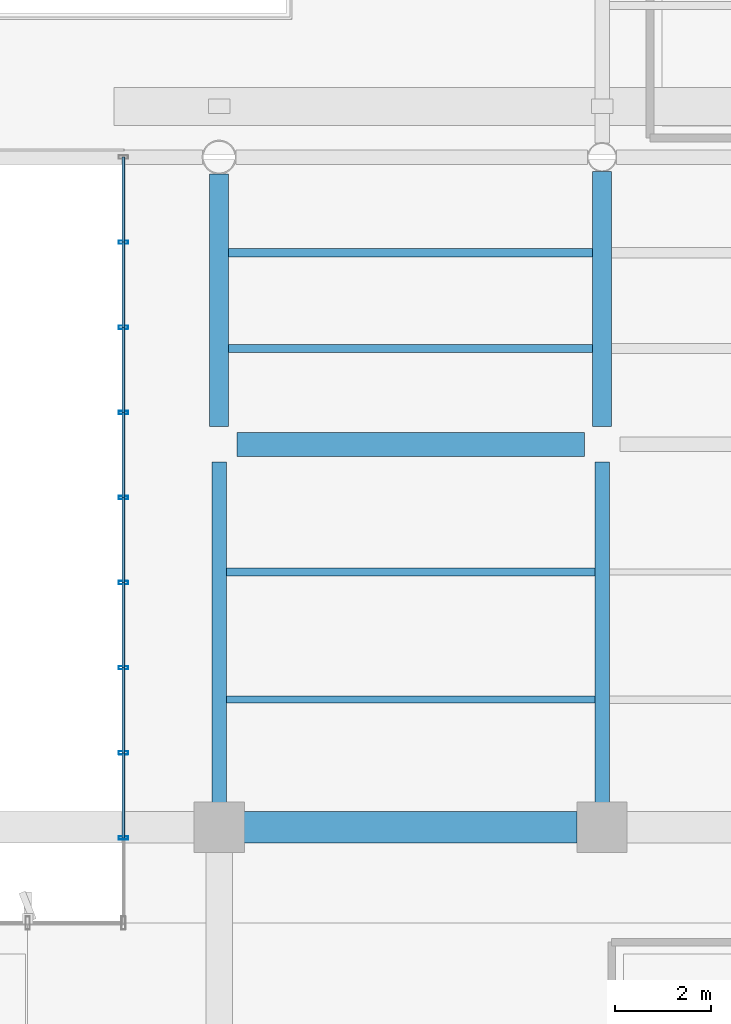
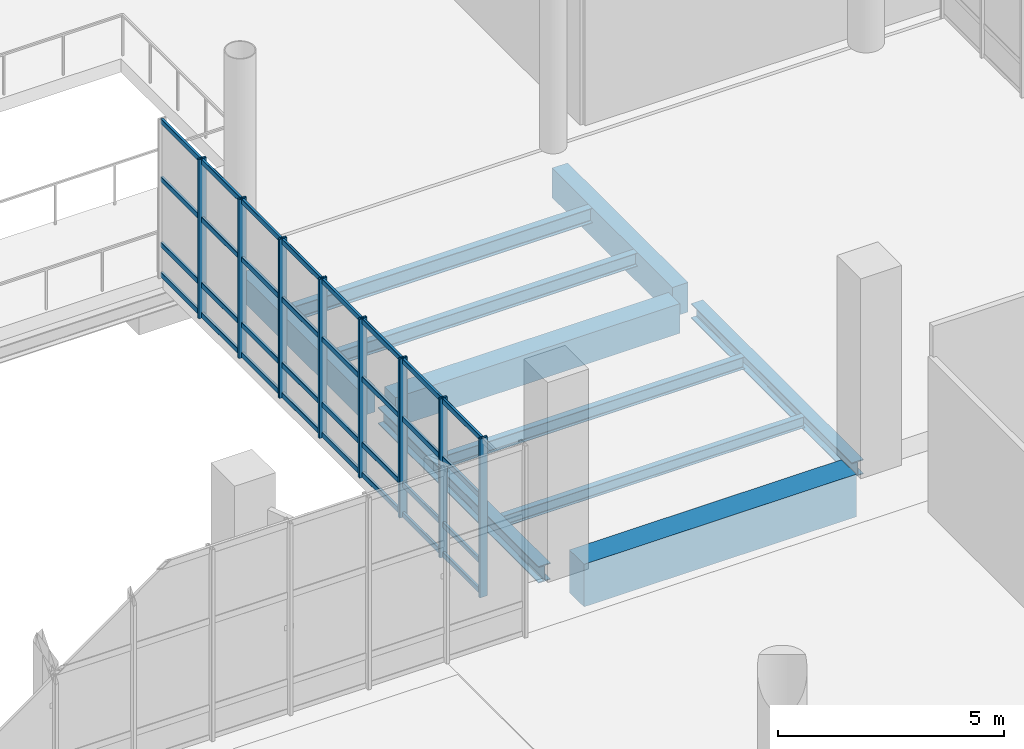
# One storey, part 61 of 176: 40 members, 10 beams, 1 element without a shape of its own.
"""IFC4 building model written with IfcOpenShell, lengths in metres."""

from ifc_helpers import new_model, si_unit, direction, frame, origin, origin_2d, place, context, subcontext, project, spatial, rectangle, hollow_rectangle, i_section, extrude, material, layer, layer_set, material_profile, profile_set, type_object, element, aggregate, save


model = new_model("IFC4")

# Units and contexts
model_context = context("Model", 3, precision=1e-05, world=origin(), true_north=direction((0.0, 1.0)))
body_context = subcontext(model_context, "Body", "Model", "MODEL_VIEW")
ifc_project = project(units=[si_unit("LENGTHUNIT", "METRE"), si_unit("AREAUNIT", "SQUARE_METRE"), si_unit("VOLUMEUNIT", "CUBIC_METRE"), si_unit("PLANEANGLEUNIT", "RADIAN"), si_unit("MASSUNIT", "GRAM", prefix="KILO")], contexts=[model_context])

# Site, building, storey
site_placement = place(None, origin())
site = spatial("IfcSite", under=ifc_project, at=site_placement, CompositionType="ELEMENT")
building_placement = place(site_placement, origin())
building = spatial("IfcBuilding", under=site, at=building_placement, Name="Khorjan Park Terminus", CompositionType="ELEMENT")
storey_placement = place(building_placement, frame((0.0, 0.0, 6.0)))
storey = spatial("IfcBuildingStorey", under=building, at=storey_placement, Name="L01", CompositionType="ELEMENT", Elevation=6.0)

# Beams
ifc_material_1 = material(Name="Steel S355", Category="steel")
ifc_material_profile_1 = material_profile(ifc_material_1, i_section(OverallWidth=0.3, OverallDepth=0.4, WebThickness=0.0135, FlangeThickness=0.024, FilletRadius=0.027, at=origin_2d()), Name="HEB 400")
ifc_profile_set_1 = profile_set([ifc_material_profile_1], Name="Steel S355")
beam_type_1 = type_object("IfcBeamType", Name="BM-HEB400", PredefinedType="BEAM", material=ifc_profile_set_1)
beam_1_placement = place(storey_placement, frame((120.0, 88.52, -0.54), z_axis=(0.0, 1.0, 0.0), x_axis=(-1.0, 0.0, 0.0)))
element("IfcBeam", 1, at=beam_1_placement, inside=storey, type_object=beam_type_1, Name="Primary floor girder SB-B40 (L01)", PredefinedType="BEAM", context=body_context, shape_type="SweptSolid", body=[
    extrude(i_section(OverallWidth=0.3, OverallDepth=0.4, WebThickness=0.0135, FlangeThickness=0.024, FilletRadius=0.027, at=origin_2d()), origin(), (0.0, 0.0, 1.0), 7.11),
])
ifc_material_profile_2 = material_profile(ifc_material_1, i_section(OverallWidth=0.3, OverallDepth=0.45, WebThickness=0.014, FlangeThickness=0.026, FilletRadius=0.027, at=origin_2d()), Name="HEB 450")
ifc_profile_set_2 = profile_set([ifc_material_profile_2], Name="Steel S355")
beam_type_2 = type_object("IfcBeamType", Name="BM-HEB450", PredefinedType="BEAM", material=ifc_profile_set_2)
beam_2_placement = place(storey_placement, frame((112.0, 88.52, -0.565), z_axis=(0.0, 1.0, 0.0), x_axis=(-1.0, 0.0, 0.0)))
element("IfcBeam", 2, at=beam_2_placement, inside=storey, type_object=beam_type_2, Name="Primary floor girder SB-B45 (L01)", PredefinedType="BEAM", context=body_context, shape_type="SweptSolid", body=[
    extrude(i_section(OverallWidth=0.3, OverallDepth=0.45, WebThickness=0.014, FlangeThickness=0.026, FilletRadius=0.027, at=origin_2d()), origin(), (0.0, 0.0, 1.0), 7.11),
])
ifc_material_2 = material(Name="Concrete C40/50", Category="concrete")
ifc_material_profile_3 = material_profile(ifc_material_2, rectangle(XDim=0.4, YDim=0.7, at=origin_2d()), Name="RC 400x700")
ifc_profile_set_3 = profile_set([ifc_material_profile_3], Name="Concrete C40/50")
beam_type_3 = type_object("IfcBeamType", Name="BM-RC400x700", PredefinedType="BEAM", material=ifc_profile_set_3)
beam_3_placement = place(storey_placement, frame((112.0, 96.37, -0.69), z_axis=(0.0, 1.0, 0.0), x_axis=(-1.0, 0.0, 0.0)))
element("IfcBeam", 3, at=beam_3_placement, inside=storey, type_object=beam_type_3, Name="Primary floor girder GB-07 (L01)", PredefinedType="BEAM", context=body_context, shape_type="SweptSolid", body=[
    extrude(rectangle(XDim=0.4, YDim=0.7, at=origin_2d()), origin(), (0.0, 0.0, 1.0), 5.2795),
])
ifc_material_profile_4 = material_profile(ifc_material_2, rectangle(XDim=0.4, YDim=0.8, at=origin_2d()), Name="RC 400x800")
ifc_profile_set_4 = profile_set([ifc_material_profile_4], Name="Concrete C40/50")
beam_type_4 = type_object("IfcBeamType", Name="BM-RC400x800", PredefinedType="BEAM", material=ifc_profile_set_4)
beam_4_placement = place(storey_placement, frame((120.0, 96.37, -0.74), z_axis=(0.0, 1.0, 0.0), x_axis=(-1.0, 0.0, 0.0)))
element("IfcBeam", 4, at=beam_4_placement, inside=storey, type_object=beam_type_4, Name="Primary floor girder GB-08B (L01)", PredefinedType="BEAM", context=body_context, shape_type="SweptSolid", body=[
    extrude(rectangle(XDim=0.4, YDim=0.8, at=origin_2d()), origin(), (0.0, 0.0, 1.0), 5.33),
])
ifc_material_profile_5 = material_profile(ifc_material_2, rectangle(XDim=0.5, YDim=0.8, at=origin_2d()), Name="RC 500x800")
ifc_profile_set_5 = profile_set([ifc_material_profile_5], Name="Concrete C40/50")
beam_type_5 = type_object("IfcBeamType", Name="BM-RC500x800", PredefinedType="BEAM", material=ifc_profile_set_5)
beam_5_placement = place(storey_placement, frame((112.37, 96.0, -0.74), z_axis=(1.0, 0.0, 0.0), x_axis=(0.0, 1.0, 0.0)))
element("IfcBeam", 5, at=beam_5_placement, inside=storey, type_object=beam_type_5, Name="Primary floor girder GB-08 (L01)", PredefinedType="BEAM", context=body_context, shape_type="SweptSolid", body=[
    extrude(rectangle(XDim=0.5, YDim=0.8, at=origin_2d()), origin(), (0.0, 0.0, 1.0), 7.26),
])
ifc_material_profile_6 = material_profile(ifc_material_1, i_section(OverallWidth=0.15, OverallDepth=0.3, WebThickness=0.0071, FlangeThickness=0.0107, FilletRadius=0.015, at=origin_2d()), Name="IPE 300")
ifc_profile_set_6 = profile_set([ifc_material_profile_6], Name="Steel S355")
beam_type_6 = type_object("IfcBeamType", Name="JS-IPE300", PredefinedType="JOIST", material=ifc_profile_set_6)
beam_6_placement = place(storey_placement, frame((112.15, 90.6667, -0.49), z_axis=(1.0, 0.0, 0.0), x_axis=(0.0, 1.0, 0.0)))
element("IfcBeam", 6, at=beam_6_placement, inside=storey, type_object=beam_type_6, Name="Secondary composite floor joist SJ-30 (L01)", PredefinedType="JOIST", context=body_context, shape_type="SweptSolid", body=[
    extrude(i_section(OverallWidth=0.15, OverallDepth=0.3, WebThickness=0.0071, FlangeThickness=0.0107, FilletRadius=0.015, at=origin_2d()), origin(), (0.0, 0.0, 1.0), 7.7),
])
ifc_material_profile_7 = material_profile(ifc_material_1, i_section(OverallWidth=0.16, OverallDepth=0.33, WebThickness=0.0075, FlangeThickness=0.0115, FilletRadius=0.018, at=origin_2d()), Name="IPE 330")
ifc_profile_set_7 = profile_set([ifc_material_profile_7], Name="Steel S355")
beam_type_7 = type_object("IfcBeamType", Name="JS-IPE330", PredefinedType="JOIST", material=ifc_profile_set_7)
beam_7_placement = place(storey_placement, frame((112.15, 93.3333, -0.505), z_axis=(1.0, 0.0, 0.0), x_axis=(0.0, 1.0, 0.0)))
element("IfcBeam", 7, at=beam_7_placement, inside=storey, type_object=beam_type_7, Name="Secondary composite floor joist SJ-33 (L01)", PredefinedType="JOIST", context=body_context, shape_type="SweptSolid", body=[
    extrude(i_section(OverallWidth=0.16, OverallDepth=0.33, WebThickness=0.0075, FlangeThickness=0.0115, FilletRadius=0.018, at=origin_2d()), origin(), (0.0, 0.0, 1.0), 7.7),
])
ifc_material_profile_8 = material_profile(ifc_material_1, i_section(OverallWidth=0.17, OverallDepth=0.36, WebThickness=0.008, FlangeThickness=0.0127, FilletRadius=0.018, at=origin_2d()), Name="IPE 360")
ifc_profile_set_8 = profile_set([ifc_material_profile_8], Name="Steel S355")
beam_type_8 = type_object("IfcBeamType", Name="JS-IPE360", PredefinedType="JOIST", material=ifc_profile_set_8)
beam_8_placement = place(storey_placement, frame((112.2, 98.0, -0.52), z_axis=(1.0, 0.0, 0.0), x_axis=(0.0, 1.0, 0.0)))
element("IfcBeam", 8, at=beam_8_placement, inside=storey, type_object=beam_type_8, Name="Secondary composite floor joist SJ-36 (L01)", PredefinedType="JOIST", context=body_context, shape_type="SweptSolid", body=[
    extrude(i_section(OverallWidth=0.17, OverallDepth=0.36, WebThickness=0.008, FlangeThickness=0.0127, FilletRadius=0.018, at=origin_2d()), origin(), (0.0, 0.0, 1.0), 7.6),
])
ifc_material_profile_9 = material_profile(ifc_material_1, i_section(OverallWidth=0.18, OverallDepth=0.4, WebThickness=0.0086, FlangeThickness=0.0135, FilletRadius=0.021, at=origin_2d()), Name="IPE 400")
ifc_profile_set_9 = profile_set([ifc_material_profile_9], Name="Steel S355")
beam_type_9 = type_object("IfcBeamType", Name="JS-IPE400", PredefinedType="JOIST", material=ifc_profile_set_9)
beam_9_placement = place(storey_placement, frame((112.2, 100.0, -0.54), z_axis=(1.0, 0.0, 0.0), x_axis=(0.0, 1.0, 0.0)))
element("IfcBeam", 9, at=beam_9_placement, inside=storey, type_object=beam_type_9, Name="Secondary composite floor joist SJ-40 (L01)", PredefinedType="JOIST", context=body_context, shape_type="SweptSolid", body=[
    extrude(i_section(OverallWidth=0.18, OverallDepth=0.4, WebThickness=0.0086, FlangeThickness=0.0135, FilletRadius=0.021, at=origin_2d()), origin(), (0.0, 0.0, 1.0), 7.6),
])

# Curtain wall, members
ifc_material_3 = material(Name="Anodized Bronze Aluminium", Category="aluminium")
ifc_layer = layer(ifc_material_3, 0.22)
ifc_layer_set = layer_set([ifc_layer], Name="Anodized Bronze Aluminium")
curtain_wall_type = type_object("IfcCurtainWallType", Name="CW-BRG-D", PredefinedType="NOTDEFINED", material=ifc_layer_set)
curtain_wall_placement = place(storey_placement, origin())
curtain_wall = element("IfcCurtainWall", 10, at=curtain_wall_placement, inside=storey, type_object=curtain_wall_type, Name="Unitized curtain wall CW-D (CW-NKE-W-L01)", PredefinedType="NOTDEFINED")
ifc_material_profile_10 = material_profile(ifc_material_3, hollow_rectangle(XDim=0.07, YDim=0.2, WallThickness=0.005, InnerFilletRadius=0.005, OuterFilletRadius=0.01, at=origin_2d()), Name="ALM 70x200x5")
ifc_profile_set_10 = profile_set([ifc_material_profile_10], Name="Anodized Bronze Aluminium")
member_type_1 = type_object("IfcMemberType", Name="ML-ALM-200", PredefinedType="MULLION", material=ifc_profile_set_10)
member_1_placement = place(storey_placement, frame((110.0, 100.2222, -0.035), z_axis=(0.0, 0.0, 1.0), x_axis=(0.0, -1.0, 0.0)))
member_1 = element("IfcMember", 11, at=member_1_placement, type_object=member_type_1, Name="Curtain-wall mullion ML-20 (CW-NKE-W-L01-1)", PredefinedType="MULLION", context=body_context, shape_type="SweptSolid", body=[
    extrude(hollow_rectangle(XDim=0.07, YDim=0.2, WallThickness=0.005, InnerFilletRadius=0.005, OuterFilletRadius=0.01, at=origin_2d()), origin(), (0.0, 0.0, 1.0), 4.295),
])
member_2_placement = place(storey_placement, frame((110.0, 98.4444, -0.035), z_axis=(0.0, 0.0, 1.0), x_axis=(0.0, -1.0, 0.0)))
member_2 = element("IfcMember", 12, at=member_2_placement, type_object=member_type_1, Name="Curtain-wall mullion ML-20 (CW-NKE-W-L01-2)", PredefinedType="MULLION", context=body_context, shape_type="SweptSolid", body=[
    extrude(hollow_rectangle(XDim=0.07, YDim=0.2, WallThickness=0.005, InnerFilletRadius=0.005, OuterFilletRadius=0.01, at=origin_2d()), origin(), (0.0, 0.0, 1.0), 4.295),
])
member_3_placement = place(storey_placement, frame((110.0, 96.6667, -0.035), z_axis=(0.0, 0.0, 1.0), x_axis=(0.0, -1.0, 0.0)))
member_3 = element("IfcMember", 13, at=member_3_placement, type_object=member_type_1, Name="Curtain-wall mullion ML-20 (CW-NKE-W-L01-3)", PredefinedType="MULLION", context=body_context, shape_type="SweptSolid", body=[
    extrude(hollow_rectangle(XDim=0.07, YDim=0.2, WallThickness=0.005, InnerFilletRadius=0.005, OuterFilletRadius=0.01, at=origin_2d()), origin(), (0.0, 0.0, 1.0), 4.295),
])
member_4_placement = place(storey_placement, frame((110.0, 94.8889, -0.035), z_axis=(0.0, 0.0, 1.0), x_axis=(0.0, -1.0, 0.0)))
member_4 = element("IfcMember", 14, at=member_4_placement, type_object=member_type_1, Name="Curtain-wall mullion ML-20 (CW-NKE-W-L01-4)", PredefinedType="MULLION", context=body_context, shape_type="SweptSolid", body=[
    extrude(hollow_rectangle(XDim=0.07, YDim=0.2, WallThickness=0.005, InnerFilletRadius=0.005, OuterFilletRadius=0.01, at=origin_2d()), origin(), (0.0, 0.0, 1.0), 4.295),
])
member_5_placement = place(storey_placement, frame((110.0, 93.1111, -0.035), z_axis=(0.0, 0.0, 1.0), x_axis=(0.0, -1.0, 0.0)))
member_5 = element("IfcMember", 15, at=member_5_placement, type_object=member_type_1, Name="Curtain-wall mullion ML-20 (CW-NKE-W-L01-5)", PredefinedType="MULLION", context=body_context, shape_type="SweptSolid", body=[
    extrude(hollow_rectangle(XDim=0.07, YDim=0.2, WallThickness=0.005, InnerFilletRadius=0.005, OuterFilletRadius=0.01, at=origin_2d()), origin(), (0.0, 0.0, 1.0), 4.295),
])
member_6_placement = place(storey_placement, frame((110.0, 91.3333, -0.035), z_axis=(0.0, 0.0, 1.0), x_axis=(0.0, -1.0, 0.0)))
member_6 = element("IfcMember", 16, at=member_6_placement, type_object=member_type_1, Name="Curtain-wall mullion ML-20 (CW-NKE-W-L01-6)", PredefinedType="MULLION", context=body_context, shape_type="SweptSolid", body=[
    extrude(hollow_rectangle(XDim=0.07, YDim=0.2, WallThickness=0.005, InnerFilletRadius=0.005, OuterFilletRadius=0.01, at=origin_2d()), origin(), (0.0, 0.0, 1.0), 4.295),
])
member_7_placement = place(storey_placement, frame((110.0, 89.5556, -0.035), z_axis=(0.0, 0.0, 1.0), x_axis=(0.0, -1.0, 0.0)))
member_7 = element("IfcMember", 17, at=member_7_placement, type_object=member_type_1, Name="Curtain-wall mullion ML-20 (CW-NKE-W-L01-7)", PredefinedType="MULLION", context=body_context, shape_type="SweptSolid", body=[
    extrude(hollow_rectangle(XDim=0.07, YDim=0.2, WallThickness=0.005, InnerFilletRadius=0.005, OuterFilletRadius=0.01, at=origin_2d()), origin(), (0.0, 0.0, 1.0), 4.295),
])
member_8_placement = place(storey_placement, frame((110.0, 87.7778, -0.035), z_axis=(0.0, 0.0, 1.0), x_axis=(0.0, -1.0, 0.0)))
member_8 = element("IfcMember", 18, at=member_8_placement, type_object=member_type_1, Name="Curtain-wall mullion ML-20 (CW-NKE-W-L01-8)", PredefinedType="MULLION", context=body_context, shape_type="SweptSolid", body=[
    extrude(hollow_rectangle(XDim=0.07, YDim=0.2, WallThickness=0.005, InnerFilletRadius=0.005, OuterFilletRadius=0.01, at=origin_2d()), origin(), (0.0, 0.0, 1.0), 4.295),
])

# Beam
ifc_material_4 = material(Name="Concrete C50/60", Category="concrete")
ifc_material_profile_11 = material_profile(ifc_material_4, rectangle(XDim=0.65, YDim=1.15, at=origin_2d()), Name="RC 650x1150")
ifc_profile_set_11 = profile_set([ifc_material_profile_11], Name="Concrete C50/60")
beam_type_10 = type_object("IfcBeamType", Name="SP-RC650x1150", PredefinedType="SPANDREL", material=ifc_profile_set_11)
beam_10_placement = place(storey_placement, frame((112.52, 88.0, -0.575), z_axis=(1.0, 0.0, 0.0), x_axis=(0.0, 1.0, 0.0)))
element("IfcBeam", 19, at=beam_10_placement, inside=storey, type_object=beam_type_10, Name="Concourse lower colonnade ring beam SP-11 (L01-18)", PredefinedType="SPANDREL", context=body_context, shape_type="SweptSolid", body=[
    extrude(rectangle(XDim=0.65, YDim=1.15, at=origin_2d()), origin(), (0.0, 0.0, 1.0), 6.96),
])

# Member
ifc_material_profile_12 = material_profile(ifc_material_3, hollow_rectangle(XDim=0.065, YDim=0.14, WallThickness=0.004, InnerFilletRadius=0.004, OuterFilletRadius=0.008, at=origin_2d()), Name="ALT 65x140x4")
ifc_profile_set_12 = profile_set([ifc_material_profile_12], Name="Anodized Bronze Aluminium")
member_type_2 = type_object("IfcMemberType", Name="TR-ALT-140", PredefinedType="USERDEFINED", material=ifc_profile_set_12)
member_9_placement = place(storey_placement, frame((110.0, 102.0, 0.04), z_axis=(0.0, -1.0, 0.0), x_axis=(1.0, 0.0, 0.0)))
member_9 = element("IfcMember", 20, at=member_9_placement, type_object=member_type_2, Name="Curtain-wall transom TR-14 (CW-NKE-W-L01-0-1)", ObjectType="TRANSOM", PredefinedType="USERDEFINED", context=body_context, shape_type="SweptSolid", body=[
    extrude(hollow_rectangle(XDim=0.065, YDim=0.14, WallThickness=0.004, InnerFilletRadius=0.004, OuterFilletRadius=0.008, at=origin_2d()), origin(), (0.0, 0.0, 1.0), 1.7778),
])

member_10_placement = place(storey_placement, frame((110.0, 102.0, 0.85), z_axis=(0.0, -1.0, 0.0), x_axis=(1.0, 0.0, 0.0)))
member_10 = element("IfcMember", 21, at=member_10_placement, type_object=member_type_2, Name="Curtain-wall transom TR-14 (CW-NKE-W-L01-0-2)", ObjectType="TRANSOM", PredefinedType="USERDEFINED", context=body_context, shape_type="SweptSolid", body=[
    extrude(hollow_rectangle(XDim=0.065, YDim=0.14, WallThickness=0.004, InnerFilletRadius=0.004, OuterFilletRadius=0.008, at=origin_2d()), origin(), (0.0, 0.0, 1.0), 1.7778),
])

member_11_placement = place(storey_placement, frame((110.0, 102.0, 2.6195), z_axis=(0.0, -1.0, 0.0), x_axis=(1.0, 0.0, 0.0)))
member_11 = element("IfcMember", 22, at=member_11_placement, type_object=member_type_2, Name="Curtain-wall transom TR-14 (CW-NKE-W-L01-0-3)", ObjectType="TRANSOM", PredefinedType="USERDEFINED", context=body_context, shape_type="SweptSolid", body=[
    extrude(hollow_rectangle(XDim=0.065, YDim=0.14, WallThickness=0.004, InnerFilletRadius=0.004, OuterFilletRadius=0.008, at=origin_2d()), origin(), (0.0, 0.0, 1.0), 1.7778),
])

member_12_placement = place(storey_placement, frame((110.0, 102.0, 4.185), z_axis=(0.0, -1.0, 0.0), x_axis=(1.0, 0.0, 0.0)))
member_12 = element("IfcMember", 23, at=member_12_placement, type_object=member_type_2, Name="Curtain-wall transom TR-14 (CW-NKE-W-L01-0-4)", ObjectType="TRANSOM", PredefinedType="USERDEFINED", context=body_context, shape_type="SweptSolid", body=[
    extrude(hollow_rectangle(XDim=0.065, YDim=0.14, WallThickness=0.004, InnerFilletRadius=0.004, OuterFilletRadius=0.008, at=origin_2d()), origin(), (0.0, 0.0, 1.0), 1.7778),
])

member_13_placement = place(storey_placement, frame((110.0, 100.2222, 0.04), z_axis=(0.0, -1.0, 0.0), x_axis=(1.0, 0.0, 0.0)))
member_13 = element("IfcMember", 24, at=member_13_placement, type_object=member_type_2, Name="Curtain-wall transom TR-14 (CW-NKE-W-L01-1-1)", ObjectType="TRANSOM", PredefinedType="USERDEFINED", context=body_context, shape_type="SweptSolid", body=[
    extrude(hollow_rectangle(XDim=0.065, YDim=0.14, WallThickness=0.004, InnerFilletRadius=0.004, OuterFilletRadius=0.008, at=origin_2d()), origin(), (0.0, 0.0, 1.0), 1.7778),
])

member_14_placement = place(storey_placement, frame((110.0, 100.2222, 0.85), z_axis=(0.0, -1.0, 0.0), x_axis=(1.0, 0.0, 0.0)))
member_14 = element("IfcMember", 25, at=member_14_placement, type_object=member_type_2, Name="Curtain-wall transom TR-14 (CW-NKE-W-L01-1-2)", ObjectType="TRANSOM", PredefinedType="USERDEFINED", context=body_context, shape_type="SweptSolid", body=[
    extrude(hollow_rectangle(XDim=0.065, YDim=0.14, WallThickness=0.004, InnerFilletRadius=0.004, OuterFilletRadius=0.008, at=origin_2d()), origin(), (0.0, 0.0, 1.0), 1.7778),
])

member_15_placement = place(storey_placement, frame((110.0, 100.2222, 2.6195), z_axis=(0.0, -1.0, 0.0), x_axis=(1.0, 0.0, 0.0)))
member_15 = element("IfcMember", 26, at=member_15_placement, type_object=member_type_2, Name="Curtain-wall transom TR-14 (CW-NKE-W-L01-1-3)", ObjectType="TRANSOM", PredefinedType="USERDEFINED", context=body_context, shape_type="SweptSolid", body=[
    extrude(hollow_rectangle(XDim=0.065, YDim=0.14, WallThickness=0.004, InnerFilletRadius=0.004, OuterFilletRadius=0.008, at=origin_2d()), origin(), (0.0, 0.0, 1.0), 1.7778),
])

member_16_placement = place(storey_placement, frame((110.0, 100.2222, 4.185), z_axis=(0.0, -1.0, 0.0), x_axis=(1.0, 0.0, 0.0)))
member_16 = element("IfcMember", 27, at=member_16_placement, type_object=member_type_2, Name="Curtain-wall transom TR-14 (CW-NKE-W-L01-1-4)", ObjectType="TRANSOM", PredefinedType="USERDEFINED", context=body_context, shape_type="SweptSolid", body=[
    extrude(hollow_rectangle(XDim=0.065, YDim=0.14, WallThickness=0.004, InnerFilletRadius=0.004, OuterFilletRadius=0.008, at=origin_2d()), origin(), (0.0, 0.0, 1.0), 1.7778),
])

member_17_placement = place(storey_placement, frame((110.0, 98.4444, 0.04), z_axis=(0.0, -1.0, 0.0), x_axis=(1.0, 0.0, 0.0)))
member_17 = element("IfcMember", 28, at=member_17_placement, type_object=member_type_2, Name="Curtain-wall transom TR-14 (CW-NKE-W-L01-2-1)", ObjectType="TRANSOM", PredefinedType="USERDEFINED", context=body_context, shape_type="SweptSolid", body=[
    extrude(hollow_rectangle(XDim=0.065, YDim=0.14, WallThickness=0.004, InnerFilletRadius=0.004, OuterFilletRadius=0.008, at=origin_2d()), origin(), (0.0, 0.0, 1.0), 1.7777),
])

member_18_placement = place(storey_placement, frame((110.0, 98.4444, 0.85), z_axis=(0.0, -1.0, 0.0), x_axis=(1.0, 0.0, 0.0)))
member_18 = element("IfcMember", 29, at=member_18_placement, type_object=member_type_2, Name="Curtain-wall transom TR-14 (CW-NKE-W-L01-2-2)", ObjectType="TRANSOM", PredefinedType="USERDEFINED", context=body_context, shape_type="SweptSolid", body=[
    extrude(hollow_rectangle(XDim=0.065, YDim=0.14, WallThickness=0.004, InnerFilletRadius=0.004, OuterFilletRadius=0.008, at=origin_2d()), origin(), (0.0, 0.0, 1.0), 1.7777),
])

member_19_placement = place(storey_placement, frame((110.0, 98.4444, 2.6195), z_axis=(0.0, -1.0, 0.0), x_axis=(1.0, 0.0, 0.0)))
member_19 = element("IfcMember", 30, at=member_19_placement, type_object=member_type_2, Name="Curtain-wall transom TR-14 (CW-NKE-W-L01-2-3)", ObjectType="TRANSOM", PredefinedType="USERDEFINED", context=body_context, shape_type="SweptSolid", body=[
    extrude(hollow_rectangle(XDim=0.065, YDim=0.14, WallThickness=0.004, InnerFilletRadius=0.004, OuterFilletRadius=0.008, at=origin_2d()), origin(), (0.0, 0.0, 1.0), 1.7777),
])

member_20_placement = place(storey_placement, frame((110.0, 98.4444, 4.185), z_axis=(0.0, -1.0, 0.0), x_axis=(1.0, 0.0, 0.0)))
member_20 = element("IfcMember", 31, at=member_20_placement, type_object=member_type_2, Name="Curtain-wall transom TR-14 (CW-NKE-W-L01-2-4)", ObjectType="TRANSOM", PredefinedType="USERDEFINED", context=body_context, shape_type="SweptSolid", body=[
    extrude(hollow_rectangle(XDim=0.065, YDim=0.14, WallThickness=0.004, InnerFilletRadius=0.004, OuterFilletRadius=0.008, at=origin_2d()), origin(), (0.0, 0.0, 1.0), 1.7777),
])

member_21_placement = place(storey_placement, frame((110.0, 96.6667, 0.04), z_axis=(0.0, -1.0, 0.0), x_axis=(1.0, 0.0, 0.0)))
member_21 = element("IfcMember", 32, at=member_21_placement, type_object=member_type_2, Name="Curtain-wall transom TR-14 (CW-NKE-W-L01-3-1)", ObjectType="TRANSOM", PredefinedType="USERDEFINED", context=body_context, shape_type="SweptSolid", body=[
    extrude(hollow_rectangle(XDim=0.065, YDim=0.14, WallThickness=0.004, InnerFilletRadius=0.004, OuterFilletRadius=0.008, at=origin_2d()), origin(), (0.0, 0.0, 1.0), 1.7778),
])

member_22_placement = place(storey_placement, frame((110.0, 96.6667, 0.85), z_axis=(0.0, -1.0, 0.0), x_axis=(1.0, 0.0, 0.0)))
member_22 = element("IfcMember", 33, at=member_22_placement, type_object=member_type_2, Name="Curtain-wall transom TR-14 (CW-NKE-W-L01-3-2)", ObjectType="TRANSOM", PredefinedType="USERDEFINED", context=body_context, shape_type="SweptSolid", body=[
    extrude(hollow_rectangle(XDim=0.065, YDim=0.14, WallThickness=0.004, InnerFilletRadius=0.004, OuterFilletRadius=0.008, at=origin_2d()), origin(), (0.0, 0.0, 1.0), 1.7778),
])

member_23_placement = place(storey_placement, frame((110.0, 96.6667, 2.6195), z_axis=(0.0, -1.0, 0.0), x_axis=(1.0, 0.0, 0.0)))
member_23 = element("IfcMember", 34, at=member_23_placement, type_object=member_type_2, Name="Curtain-wall transom TR-14 (CW-NKE-W-L01-3-3)", ObjectType="TRANSOM", PredefinedType="USERDEFINED", context=body_context, shape_type="SweptSolid", body=[
    extrude(hollow_rectangle(XDim=0.065, YDim=0.14, WallThickness=0.004, InnerFilletRadius=0.004, OuterFilletRadius=0.008, at=origin_2d()), origin(), (0.0, 0.0, 1.0), 1.7778),
])

member_24_placement = place(storey_placement, frame((110.0, 96.6667, 4.185), z_axis=(0.0, -1.0, 0.0), x_axis=(1.0, 0.0, 0.0)))
member_24 = element("IfcMember", 35, at=member_24_placement, type_object=member_type_2, Name="Curtain-wall transom TR-14 (CW-NKE-W-L01-3-4)", ObjectType="TRANSOM", PredefinedType="USERDEFINED", context=body_context, shape_type="SweptSolid", body=[
    extrude(hollow_rectangle(XDim=0.065, YDim=0.14, WallThickness=0.004, InnerFilletRadius=0.004, OuterFilletRadius=0.008, at=origin_2d()), origin(), (0.0, 0.0, 1.0), 1.7778),
])

member_25_placement = place(storey_placement, frame((110.0, 94.8889, 0.04), z_axis=(0.0, -1.0, 0.0), x_axis=(1.0, 0.0, 0.0)))
member_25 = element("IfcMember", 36, at=member_25_placement, type_object=member_type_2, Name="Curtain-wall transom TR-14 (CW-NKE-W-L01-4-1)", ObjectType="TRANSOM", PredefinedType="USERDEFINED", context=body_context, shape_type="SweptSolid", body=[
    extrude(hollow_rectangle(XDim=0.065, YDim=0.14, WallThickness=0.004, InnerFilletRadius=0.004, OuterFilletRadius=0.008, at=origin_2d()), origin(), (0.0, 0.0, 1.0), 1.7778),
])

member_26_placement = place(storey_placement, frame((110.0, 94.8889, 0.85), z_axis=(0.0, -1.0, 0.0), x_axis=(1.0, 0.0, 0.0)))
member_26 = element("IfcMember", 37, at=member_26_placement, type_object=member_type_2, Name="Curtain-wall transom TR-14 (CW-NKE-W-L01-4-2)", ObjectType="TRANSOM", PredefinedType="USERDEFINED", context=body_context, shape_type="SweptSolid", body=[
    extrude(hollow_rectangle(XDim=0.065, YDim=0.14, WallThickness=0.004, InnerFilletRadius=0.004, OuterFilletRadius=0.008, at=origin_2d()), origin(), (0.0, 0.0, 1.0), 1.7778),
])

member_27_placement = place(storey_placement, frame((110.0, 94.8889, 2.6195), z_axis=(0.0, -1.0, 0.0), x_axis=(1.0, 0.0, 0.0)))
member_27 = element("IfcMember", 38, at=member_27_placement, type_object=member_type_2, Name="Curtain-wall transom TR-14 (CW-NKE-W-L01-4-3)", ObjectType="TRANSOM", PredefinedType="USERDEFINED", context=body_context, shape_type="SweptSolid", body=[
    extrude(hollow_rectangle(XDim=0.065, YDim=0.14, WallThickness=0.004, InnerFilletRadius=0.004, OuterFilletRadius=0.008, at=origin_2d()), origin(), (0.0, 0.0, 1.0), 1.7778),
])

member_28_placement = place(storey_placement, frame((110.0, 94.8889, 4.185), z_axis=(0.0, -1.0, 0.0), x_axis=(1.0, 0.0, 0.0)))
member_28 = element("IfcMember", 39, at=member_28_placement, type_object=member_type_2, Name="Curtain-wall transom TR-14 (CW-NKE-W-L01-4-4)", ObjectType="TRANSOM", PredefinedType="USERDEFINED", context=body_context, shape_type="SweptSolid", body=[
    extrude(hollow_rectangle(XDim=0.065, YDim=0.14, WallThickness=0.004, InnerFilletRadius=0.004, OuterFilletRadius=0.008, at=origin_2d()), origin(), (0.0, 0.0, 1.0), 1.7778),
])

member_29_placement = place(storey_placement, frame((110.0, 93.1111, 0.04), z_axis=(0.0, -1.0, 0.0), x_axis=(1.0, 0.0, 0.0)))
member_29 = element("IfcMember", 40, at=member_29_placement, type_object=member_type_2, Name="Curtain-wall transom TR-14 (CW-NKE-W-L01-5-1)", ObjectType="TRANSOM", PredefinedType="USERDEFINED", context=body_context, shape_type="SweptSolid", body=[
    extrude(hollow_rectangle(XDim=0.065, YDim=0.14, WallThickness=0.004, InnerFilletRadius=0.004, OuterFilletRadius=0.008, at=origin_2d()), origin(), (0.0, 0.0, 1.0), 1.7778),
])

member_30_placement = place(storey_placement, frame((110.0, 93.1111, 0.85), z_axis=(0.0, -1.0, 0.0), x_axis=(1.0, 0.0, 0.0)))
member_30 = element("IfcMember", 41, at=member_30_placement, type_object=member_type_2, Name="Curtain-wall transom TR-14 (CW-NKE-W-L01-5-2)", ObjectType="TRANSOM", PredefinedType="USERDEFINED", context=body_context, shape_type="SweptSolid", body=[
    extrude(hollow_rectangle(XDim=0.065, YDim=0.14, WallThickness=0.004, InnerFilletRadius=0.004, OuterFilletRadius=0.008, at=origin_2d()), origin(), (0.0, 0.0, 1.0), 1.7778),
])

member_31_placement = place(storey_placement, frame((110.0, 93.1111, 2.6195), z_axis=(0.0, -1.0, 0.0), x_axis=(1.0, 0.0, 0.0)))
member_31 = element("IfcMember", 42, at=member_31_placement, type_object=member_type_2, Name="Curtain-wall transom TR-14 (CW-NKE-W-L01-5-3)", ObjectType="TRANSOM", PredefinedType="USERDEFINED", context=body_context, shape_type="SweptSolid", body=[
    extrude(hollow_rectangle(XDim=0.065, YDim=0.14, WallThickness=0.004, InnerFilletRadius=0.004, OuterFilletRadius=0.008, at=origin_2d()), origin(), (0.0, 0.0, 1.0), 1.7778),
])

member_32_placement = place(storey_placement, frame((110.0, 93.1111, 4.185), z_axis=(0.0, -1.0, 0.0), x_axis=(1.0, 0.0, 0.0)))
member_32 = element("IfcMember", 43, at=member_32_placement, type_object=member_type_2, Name="Curtain-wall transom TR-14 (CW-NKE-W-L01-5-4)", ObjectType="TRANSOM", PredefinedType="USERDEFINED", context=body_context, shape_type="SweptSolid", body=[
    extrude(hollow_rectangle(XDim=0.065, YDim=0.14, WallThickness=0.004, InnerFilletRadius=0.004, OuterFilletRadius=0.008, at=origin_2d()), origin(), (0.0, 0.0, 1.0), 1.7778),
])

member_33_placement = place(storey_placement, frame((110.0, 91.3333, 0.04), z_axis=(0.0, -1.0, 0.0), x_axis=(1.0, 0.0, 0.0)))
member_33 = element("IfcMember", 44, at=member_33_placement, type_object=member_type_2, Name="Curtain-wall transom TR-14 (CW-NKE-W-L01-6-1)", ObjectType="TRANSOM", PredefinedType="USERDEFINED", context=body_context, shape_type="SweptSolid", body=[
    extrude(hollow_rectangle(XDim=0.065, YDim=0.14, WallThickness=0.004, InnerFilletRadius=0.004, OuterFilletRadius=0.008, at=origin_2d()), origin(), (0.0, 0.0, 1.0), 1.7777),
])

member_34_placement = place(storey_placement, frame((110.0, 91.3333, 0.85), z_axis=(0.0, -1.0, 0.0), x_axis=(1.0, 0.0, 0.0)))
member_34 = element("IfcMember", 45, at=member_34_placement, type_object=member_type_2, Name="Curtain-wall transom TR-14 (CW-NKE-W-L01-6-2)", ObjectType="TRANSOM", PredefinedType="USERDEFINED", context=body_context, shape_type="SweptSolid", body=[
    extrude(hollow_rectangle(XDim=0.065, YDim=0.14, WallThickness=0.004, InnerFilletRadius=0.004, OuterFilletRadius=0.008, at=origin_2d()), origin(), (0.0, 0.0, 1.0), 1.7777),
])

member_35_placement = place(storey_placement, frame((110.0, 91.3333, 2.6195), z_axis=(0.0, -1.0, 0.0), x_axis=(1.0, 0.0, 0.0)))
member_35 = element("IfcMember", 46, at=member_35_placement, type_object=member_type_2, Name="Curtain-wall transom TR-14 (CW-NKE-W-L01-6-3)", ObjectType="TRANSOM", PredefinedType="USERDEFINED", context=body_context, shape_type="SweptSolid", body=[
    extrude(hollow_rectangle(XDim=0.065, YDim=0.14, WallThickness=0.004, InnerFilletRadius=0.004, OuterFilletRadius=0.008, at=origin_2d()), origin(), (0.0, 0.0, 1.0), 1.7777),
])

member_36_placement = place(storey_placement, frame((110.0, 91.3333, 4.185), z_axis=(0.0, -1.0, 0.0), x_axis=(1.0, 0.0, 0.0)))
member_36 = element("IfcMember", 47, at=member_36_placement, type_object=member_type_2, Name="Curtain-wall transom TR-14 (CW-NKE-W-L01-6-4)", ObjectType="TRANSOM", PredefinedType="USERDEFINED", context=body_context, shape_type="SweptSolid", body=[
    extrude(hollow_rectangle(XDim=0.065, YDim=0.14, WallThickness=0.004, InnerFilletRadius=0.004, OuterFilletRadius=0.008, at=origin_2d()), origin(), (0.0, 0.0, 1.0), 1.7777),
])

member_37_placement = place(storey_placement, frame((110.0, 89.5556, 0.04), z_axis=(0.0, -1.0, 0.0), x_axis=(1.0, 0.0, 0.0)))
member_37 = element("IfcMember", 48, at=member_37_placement, type_object=member_type_2, Name="Curtain-wall transom TR-14 (CW-NKE-W-L01-7-1)", ObjectType="TRANSOM", PredefinedType="USERDEFINED", context=body_context, shape_type="SweptSolid", body=[
    extrude(hollow_rectangle(XDim=0.065, YDim=0.14, WallThickness=0.004, InnerFilletRadius=0.004, OuterFilletRadius=0.008, at=origin_2d()), origin(), (0.0, 0.0, 1.0), 1.7778),
])

member_38_placement = place(storey_placement, frame((110.0, 89.5556, 0.85), z_axis=(0.0, -1.0, 0.0), x_axis=(1.0, 0.0, 0.0)))
member_38 = element("IfcMember", 49, at=member_38_placement, type_object=member_type_2, Name="Curtain-wall transom TR-14 (CW-NKE-W-L01-7-2)", ObjectType="TRANSOM", PredefinedType="USERDEFINED", context=body_context, shape_type="SweptSolid", body=[
    extrude(hollow_rectangle(XDim=0.065, YDim=0.14, WallThickness=0.004, InnerFilletRadius=0.004, OuterFilletRadius=0.008, at=origin_2d()), origin(), (0.0, 0.0, 1.0), 1.7778),
])

member_39_placement = place(storey_placement, frame((110.0, 89.5556, 2.6195), z_axis=(0.0, -1.0, 0.0), x_axis=(1.0, 0.0, 0.0)))
member_39 = element("IfcMember", 50, at=member_39_placement, type_object=member_type_2, Name="Curtain-wall transom TR-14 (CW-NKE-W-L01-7-3)", ObjectType="TRANSOM", PredefinedType="USERDEFINED", context=body_context, shape_type="SweptSolid", body=[
    extrude(hollow_rectangle(XDim=0.065, YDim=0.14, WallThickness=0.004, InnerFilletRadius=0.004, OuterFilletRadius=0.008, at=origin_2d()), origin(), (0.0, 0.0, 1.0), 1.7778),
])

member_40_placement = place(storey_placement, frame((110.0, 89.5556, 4.185), z_axis=(0.0, -1.0, 0.0), x_axis=(1.0, 0.0, 0.0)))
member_40 = element("IfcMember", 51, at=member_40_placement, type_object=member_type_2, Name="Curtain-wall transom TR-14 (CW-NKE-W-L01-7-4)", ObjectType="TRANSOM", PredefinedType="USERDEFINED", context=body_context, shape_type="SweptSolid", body=[
    extrude(hollow_rectangle(XDim=0.065, YDim=0.14, WallThickness=0.004, InnerFilletRadius=0.004, OuterFilletRadius=0.008, at=origin_2d()), origin(), (0.0, 0.0, 1.0), 1.7778),
])

aggregate(curtain_wall, [member_1, member_2, member_3, member_4, member_5, member_6, member_7, member_8, member_9, member_10, member_11, member_12, member_13, member_14, member_15, member_16, member_17, member_18, member_19, member_20, member_21, member_22, member_23, member_24, member_25, member_26, member_27, member_28, member_29, member_30, member_31, member_32, member_33, member_34, member_35, member_36, member_37, member_38, member_39, member_40])

save(model, "model.ifc")
